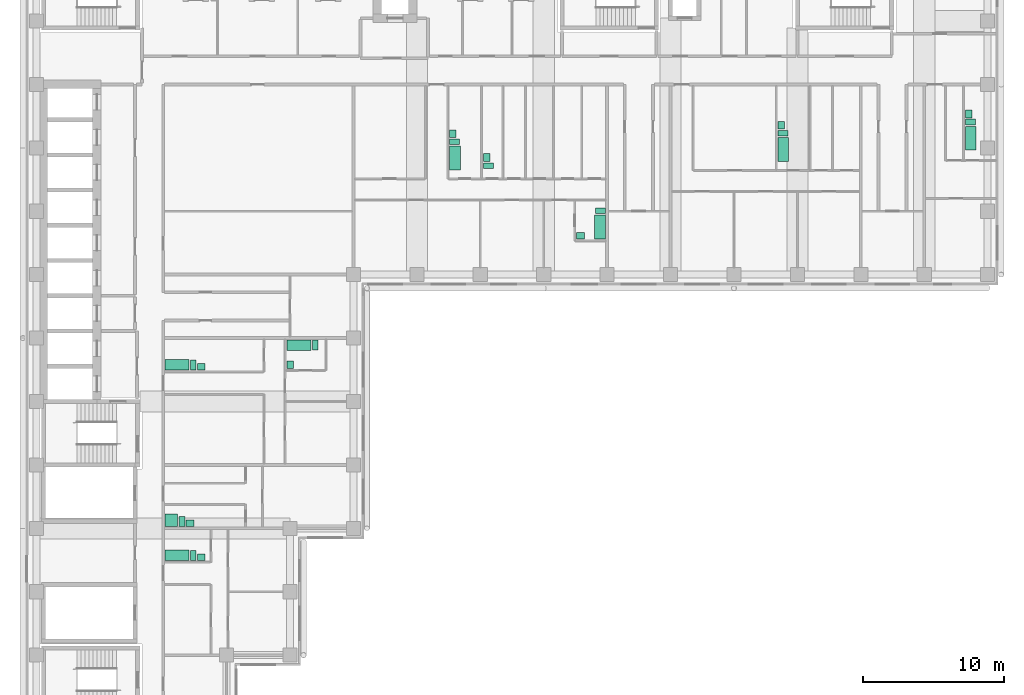
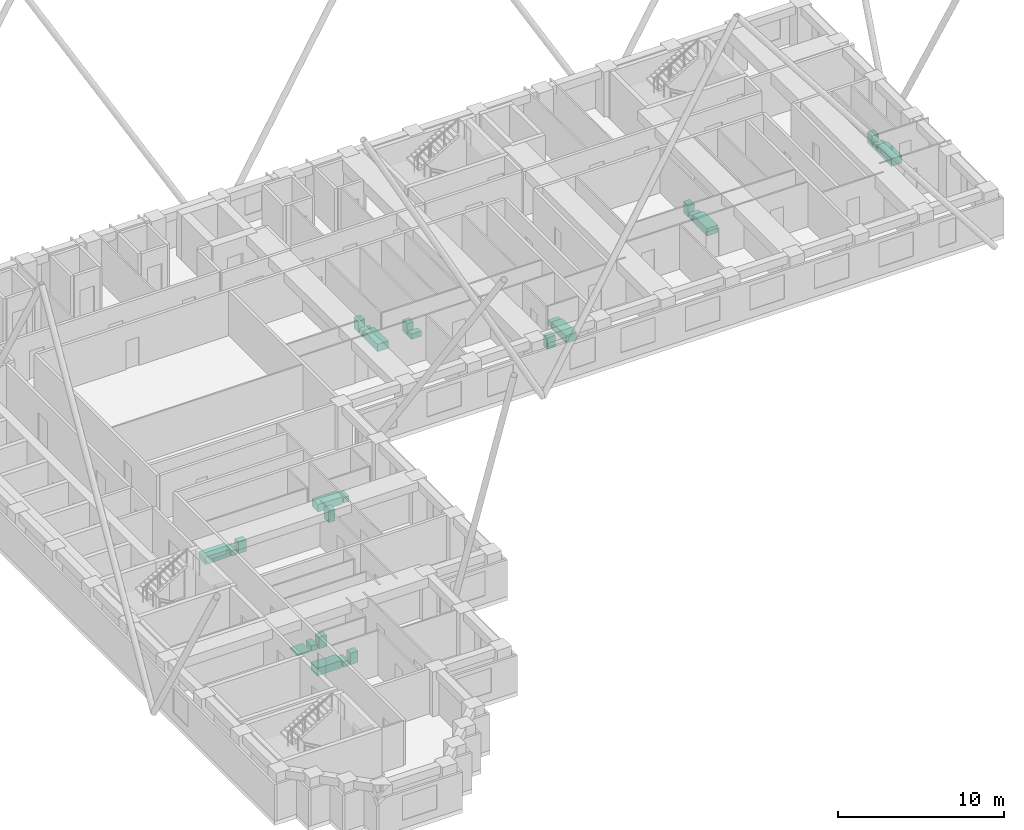
# One storey, part 13 of 13: 26 sanitary terminals.
"""IFC4 building model written with IfcOpenShell, lengths in metres."""

from ifc_helpers import new_model, si_unit, direction, frame, origin, origin_2d, place, context, subcontext, project, spatial, rectangle, extrude, material, type_object, element, save


model = new_model("IFC4")

# Units and contexts
model_context = context("Model", 3, precision=1e-05, world=origin(), true_north=direction((0.0, 1.0)))
body_context = subcontext(model_context, "Body", "Model", "MODEL_VIEW")
ifc_project = project(units=[si_unit("LENGTHUNIT", "METRE"), si_unit("AREAUNIT", "SQUARE_METRE"), si_unit("VOLUMEUNIT", "CUBIC_METRE"), si_unit("PLANEANGLEUNIT", "RADIAN"), si_unit("MASSUNIT", "GRAM", prefix="KILO")], contexts=[model_context])

# Site, building, storey
site_placement = place(None, origin())
site = spatial("IfcSite", under=ifc_project, at=site_placement, CompositionType="ELEMENT")
building_placement = place(site_placement, origin())
building = spatial("IfcBuilding", under=site, at=building_placement, Name="Firuza Court", CompositionType="ELEMENT")
storey_placement = place(building_placement, frame((0.0, 0.0, 162.800048828125)))
storey = spatial("IfcBuildingStorey", under=building, at=storey_placement, Name="L41", CompositionType="ELEMENT", Elevation=162.800048828125)

# Sanitary terminals
ifc_material_1 = material(Name="Vitreous china", Category="ceramic")
sanitary_terminal_type_1 = type_object("IfcSanitaryTerminalType", Name="Fixture Bath", PredefinedType="BATH", material=ifc_material_1)
for number, where, z_axis, x_axis, name in (
    (1, (29.705078125, 44.280029296875, 0.0), (0.0, 0.0, 1.0), (1.0, 0.0, 0.0), "Bath"),
    (2, (39.9951171875, 39.3798828125, 0.0), (0.0, 0.0, 1.0), (1.0, 0.0, 0.0), "Bath"),
    (3, (53.0048828125, 44.8798828125, 0.0), (0.0, 0.0, 1.0), (1.0, 0.0, 0.0), "Bath"),
    (4, (66.304931640625, 45.679931640625, 0.0), (0.0, 0.0, 1.0), (1.0, 0.0, 0.0), "Bath"),
):
    element("IfcSanitaryTerminal", number, at=place(storey_placement, frame(where, z_axis=z_axis, x_axis=x_axis)), inside=storey, type_object=sanitary_terminal_type_1, Name=name, PredefinedType="BATH", context=body_context, shape_type="SweptSolid", body=[
        extrude(rectangle(XDim=0.75, YDim=1.699951171875, at=origin_2d()), origin(), (0.0, 0.0, 1.0), 0.550048828125),
    ])
for number, where, z_axis, x_axis, name in (
    (5, (9.97998046875, 29.60498046875, 0.0), (0.0, 0.0, 1.0), (1.0, 0.0, 0.0), "Bath"),
    (6, (18.6298828125, 30.9951171875, 0.0), (0.0, 0.0, 1.0), (1.0, 0.0, 0.0), "Bath"),
    (7, (9.97998046875, 16.10498046875, 0.0), (0.0, 0.0, 1.0), (1.0, 0.0, 0.0), "Bath"),
):
    element("IfcSanitaryTerminal", number, at=place(storey_placement, frame(where, z_axis=z_axis, x_axis=x_axis)), inside=storey, type_object=sanitary_terminal_type_1, Name=name, PredefinedType="BATH", context=body_context, shape_type="SweptSolid", body=[
        extrude(rectangle(XDim=1.699951171875, YDim=0.75, at=origin_2d()), origin(), (0.0, 0.0, 1.0), 0.550048828125),
    ])
ifc_material_2 = material(Name="Vitreous china", Category="ceramic")
sanitary_terminal_type_2 = type_object("IfcSanitaryTerminalType", Name="Fixture Shower tray", PredefinedType="SHOWER", material=ifc_material_2)
sanitary_terminal_1_placement = place(storey_placement, frame((9.580078125, 18.580078125, 0.0), z_axis=(0.0, 0.0, 1.0), x_axis=(1.0, 0.0, 0.0)))
element("IfcSanitaryTerminal", 8, at=sanitary_terminal_1_placement, inside=storey, type_object=sanitary_terminal_type_2, Name="Shower tray", PredefinedType="SHOWER", context=body_context, shape_type="SweptSolid", body=[
    extrude(rectangle(XDim=0.89990234375, YDim=0.89990234375, at=origin_2d()), origin(), (0.0, 0.0, 1.0), 0.10009765625),
])
ifc_material_3 = material(Name="Vitreous china", Category="ceramic")
sanitary_terminal_type_3 = type_object("IfcSanitaryTerminalType", Name="Fixture WC pan", PredefinedType="TOILETPAN", material=ifc_material_3)
for number, where, z_axis, x_axis, name in (
    (9, (29.679931640625, 45.429931640625, 0.0), (0.0, 0.0, 1.0), (1.0, 0.0, 0.0), "WC pan"),
    (10, (32.080078125, 43.72998046875, 0.0), (0.0, 0.0, 1.0), (1.0, 0.0, 0.0), "WC pan"),
    (11, (40.02001953125, 40.530029296875, 0.0), (0.0, 0.0, 1.0), (1.0, 0.0, 0.0), "WC pan"),
    (12, (52.97998046875, 46.030029296875, 0.0), (0.0, 0.0, 1.0), (1.0, 0.0, 0.0), "WC pan"),
    (13, (66.280029296875, 46.830078125, 0.0), (0.0, 0.0, 1.0), (1.0, 0.0, 0.0), "WC pan"),
):
    element("IfcSanitaryTerminal", number, at=place(storey_placement, frame(where, z_axis=z_axis, x_axis=x_axis)), inside=storey, type_object=sanitary_terminal_type_3, Name=name, PredefinedType="TOILETPAN", context=body_context, shape_type="SweptSolid", body=[
        extrude(rectangle(XDim=0.699951171875, YDim=0.39990234375, at=origin_2d()), origin(), (0.0, 0.0, 1.0), 0.39990234375),
    ])
for number, where, z_axis, x_axis, name in (
    (14, (11.1298828125, 29.580078125, 0.0), (0.0, 0.0, 1.0), (1.0, 0.0, 0.0), "WC pan"),
    (15, (19.780029296875, 31.02001953125, 0.0), (0.0, 0.0, 1.0), (1.0, 0.0, 0.0), "WC pan"),
    (16, (10.330078125, 18.47998046875, 0.0), (0.0, 0.0, 1.0), (1.0, 0.0, 0.0), "WC pan"),
    (17, (11.1298828125, 16.080078125, 0.0), (0.0, 0.0, 1.0), (1.0, 0.0, 0.0), "WC pan"),
):
    element("IfcSanitaryTerminal", number, at=place(storey_placement, frame(where, z_axis=z_axis, x_axis=x_axis)), inside=storey, type_object=sanitary_terminal_type_3, Name=name, PredefinedType="TOILETPAN", context=body_context, shape_type="SweptSolid", body=[
        extrude(rectangle(XDim=0.39990234375, YDim=0.699951171875, at=origin_2d()), origin(), (0.0, 0.0, 1.0), 0.39990234375),
    ])
ifc_material_4 = material(Name="Vitreous china", Category="ceramic")
sanitary_terminal_type_4 = type_object("IfcSanitaryTerminalType", Name="Fixture Washbasin", PredefinedType="WASHHANDBASIN", material=ifc_material_4)
for number, where, z_axis, x_axis, name in (
    (18, (29.554931640625, 46.0048828125, 0.0), (0.0, 0.0, 1.0), (1.0, 0.0, 0.0), "Washbasin"),
    (19, (31.955078125, 44.304931640625, 0.0), (0.0, 0.0, 1.0), (1.0, 0.0, 0.0), "Washbasin"),
):
    element("IfcSanitaryTerminal", number, at=place(storey_placement, frame(where, z_axis=z_axis, x_axis=x_axis)), inside=storey, type_object=sanitary_terminal_type_4, Name=name, PredefinedType="WASHHANDBASIN", context=body_context, shape_type="SweptSolid", body=[
        extrude(rectangle(XDim=0.449951171875, YDim=0.550048828125, at=origin_2d()), origin(), (0.0, 0.0, 1.0), 0.85009765625),
    ])
sanitary_terminal_2_placement = place(storey_placement, frame((38.60498046875, 38.7548828125, 0.0), z_axis=(0.0, 0.0, 1.0), x_axis=(1.0, 0.0, 0.0)))
element("IfcSanitaryTerminal", 20, at=sanitary_terminal_2_placement, inside=storey, type_object=sanitary_terminal_type_4, Name="Washbasin", PredefinedType="WASHHANDBASIN", context=body_context, shape_type="SweptSolid", body=[
    extrude(rectangle(XDim=0.550048828125, YDim=0.449951171875, at=origin_2d()), origin(), (0.0, 0.0, 1.0), 0.85009765625),
])
for number, where, z_axis, x_axis, name in (
    (21, (52.85498046875, 46.60498046875, 0.0), (0.0, 0.0, 1.0), (1.0, 0.0, 0.0), "Washbasin"),
    (22, (66.155029296875, 47.405029296875, 0.0), (0.0, 0.0, 1.0), (1.0, 0.0, 0.0), "Washbasin"),
):
    element("IfcSanitaryTerminal", number, at=place(storey_placement, frame(where, z_axis=z_axis, x_axis=x_axis)), inside=storey, type_object=sanitary_terminal_type_4, Name=name, PredefinedType="WASHHANDBASIN", context=body_context, shape_type="SweptSolid", body=[
        extrude(rectangle(XDim=0.449951171875, YDim=0.550048828125, at=origin_2d()), origin(), (0.0, 0.0, 1.0), 0.85009765625),
    ])
sanitary_terminal_3_placement = place(storey_placement, frame((11.705078125, 29.455078125, 0.0), z_axis=(0.0, 0.0, 1.0), x_axis=(1.0, 0.0, 0.0)))
element("IfcSanitaryTerminal", 23, at=sanitary_terminal_3_placement, inside=storey, type_object=sanitary_terminal_type_4, Name="Washbasin", PredefinedType="WASHHANDBASIN", context=body_context, shape_type="SweptSolid", body=[
    extrude(rectangle(XDim=0.550048828125, YDim=0.449951171875, at=origin_2d()), origin(), (0.0, 0.0, 1.0), 0.85009765625),
])
sanitary_terminal_4_placement = place(storey_placement, frame((18.0048828125, 29.60498046875, 0.0), z_axis=(0.0, 0.0, 1.0), x_axis=(1.0, 0.0, 0.0)))
element("IfcSanitaryTerminal", 24, at=sanitary_terminal_4_placement, inside=storey, type_object=sanitary_terminal_type_4, Name="Washbasin", PredefinedType="WASHHANDBASIN", context=body_context, shape_type="SweptSolid", body=[
    extrude(rectangle(XDim=0.449951171875, YDim=0.550048828125, at=origin_2d()), origin(), (0.0, 0.0, 1.0), 0.85009765625),
])
for number, where, z_axis, x_axis, name in (
    (25, (10.905029296875, 18.35498046875, 0.0), (0.0, 0.0, 1.0), (1.0, 0.0, 0.0), "Washbasin"),
    (26, (11.705078125, 15.955078125, 0.0), (0.0, 0.0, 1.0), (1.0, 0.0, 0.0), "Washbasin"),
):
    element("IfcSanitaryTerminal", number, at=place(storey_placement, frame(where, z_axis=z_axis, x_axis=x_axis)), inside=storey, type_object=sanitary_terminal_type_4, Name=name, PredefinedType="WASHHANDBASIN", context=body_context, shape_type="SweptSolid", body=[
        extrude(rectangle(XDim=0.550048828125, YDim=0.449951171875, at=origin_2d()), origin(), (0.0, 0.0, 1.0), 0.85009765625),
    ])

save(model, "model.ifc")
